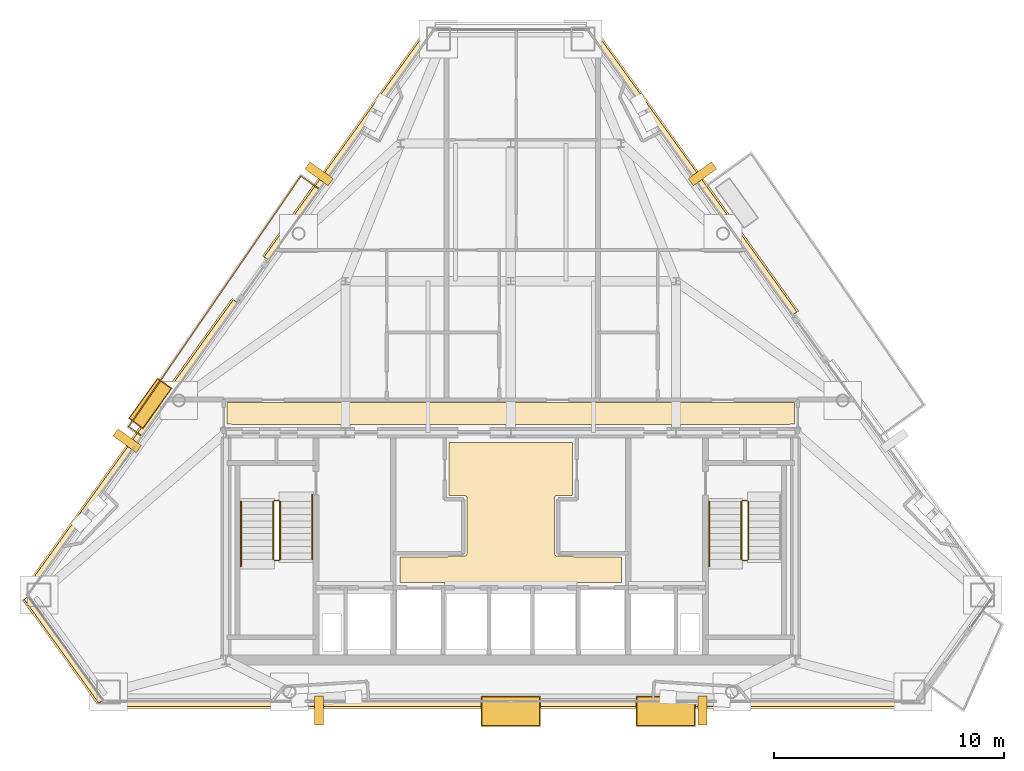
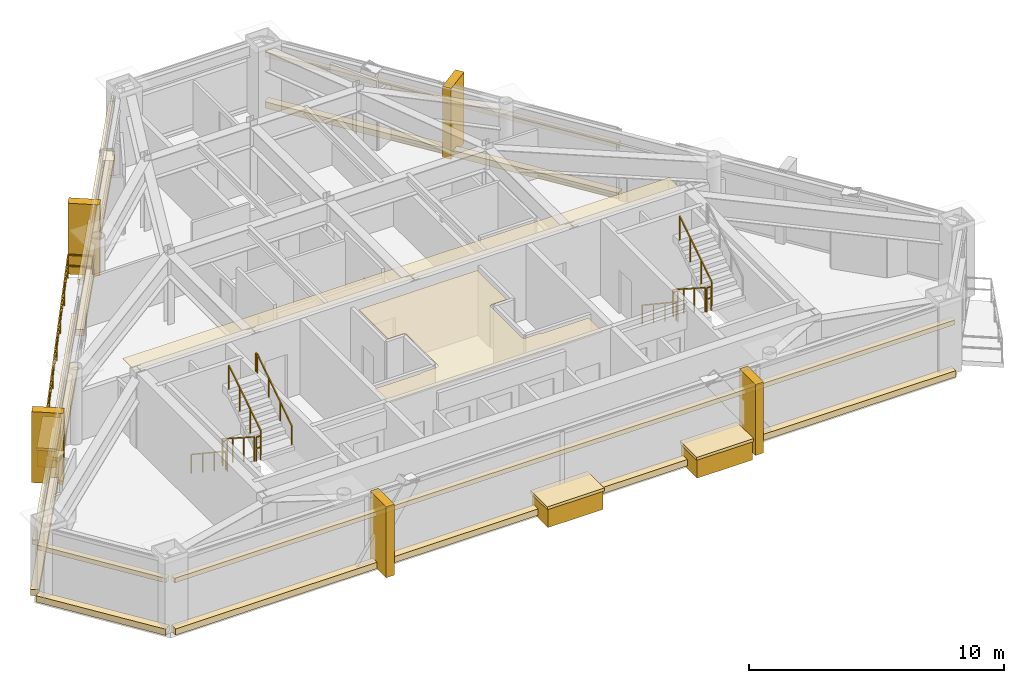
# One storey, part 10 of 11: 23 coverings, 12 railings.
"""IFC4 building model written with IfcOpenShell, lengths in metres."""

from ifc_helpers import new_model, si_unit, direction, frame, origin, origin_2d, place, context, subcontext, project, spatial, polyline, rectangle, outline, extrude, material, layer, layer_set, type_object, element, save


model = new_model("IFC4")

# Units and contexts
model_context = context("Model", 3, precision=1e-05, world=origin(), true_north=direction((0.0, 1.0)))
body_context = subcontext(model_context, "Body", "Model", "MODEL_VIEW")
ifc_project = project(units=[si_unit("LENGTHUNIT", "METRE"), si_unit("AREAUNIT", "SQUARE_METRE"), si_unit("VOLUMEUNIT", "CUBIC_METRE"), si_unit("PLANEANGLEUNIT", "RADIAN"), si_unit("MASSUNIT", "GRAM", prefix="KILO")], contexts=[model_context])

# Site, building, storey
site_placement = place(None, origin())
site = spatial("IfcSite", under=ifc_project, at=site_placement, CompositionType="ELEMENT")
building_placement = place(site_placement, origin())
building = spatial("IfcBuilding", under=site, at=building_placement, Name="Talgorran Terracotta Tower", CompositionType="ELEMENT")
storey_placement = place(building_placement, frame((0.0, 0.0, 214.5)))
storey = spatial("IfcBuildingStorey", under=building, at=storey_placement, Name="L56", CompositionType="ELEMENT", Elevation=214.5)

# Coverings
ifc_material_1 = material(Name="Kiln-Fired Terracotta Ochre Ceramic", Category="masonry")
ifc_layer_1 = layer(ifc_material_1, 0.179931640625, Name="COV_BAGUETTE_TERRACOTTA_SCREEN")
ifc_layer_set_1 = layer_set([ifc_layer_1], Name="Kiln-Fired Terracotta Ochre Ceramic")
covering_type_1 = type_object("IfcCoveringType", Name="COV_BAGUETTE_TERRACOTTA_SCREEN", PredefinedType="CLADDING", material=ifc_layer_set_1)
covering_1_placement = place(storey_placement, frame((-19.459716796875, -13.6416015625, 2.41015625), z_axis=(0.0, 0.0, 1.0), x_axis=(0.583555384799, -0.812073342053, 0.0)))
element("IfcCovering", 1, at=covering_1_placement, inside=storey, type_object=covering_type_1, Name="L56 Terracotta Baguette Solar Screen Assembly F0", PredefinedType="CLADDING", context=body_context, shape_type="SweptSolid", body=[
    extrude(rectangle(XDim=5.557861328125, YDim=0.260009765625, at=origin_2d()), origin(), (0.0, 0.0, 1.0), 0.219970703125),
])
covering_2_placement = place(storey_placement, frame((0.0, -15.99658203125, 2.41015625), z_axis=(0.0, 0.0, 1.0), x_axis=(1.0, 0.0, 0.0)))
element("IfcCovering", 2, at=covering_2_placement, inside=storey, type_object=covering_type_1, Name="L56 Terracotta Baguette Solar Screen Assembly F1", PredefinedType="CLADDING", context=body_context, shape_type="SweptSolid", body=[
    extrude(rectangle(XDim=35.291748046875, YDim=0.260009765625, at=origin_2d()), origin(), (0.0, 0.0, 1.0), 0.219970703125),
])
covering_3_placement = place(storey_placement, frame((7.926513671875, 7.15185546875, 2.41015625), z_axis=(0.0, 0.0, 1.0), x_axis=(-0.583555384799, 0.812073342053, 0.0)))
element("IfcCovering", 3, at=covering_3_placement, inside=storey, type_object=covering_type_1, Name="L56 Terracotta Baguette Solar Screen Assembly F41", PredefinedType="CLADDING", context=body_context, shape_type="SweptSolid", body=[
    extrude(rectangle(XDim=15.187744140625, YDim=0.260009765625, at=origin_2d()), origin(), (0.0, 0.0, 1.0), 0.219970703125),
])
covering_4_placement = place(storey_placement, frame((-7.0654296875, 8.350341796875, 2.41015625), z_axis=(0.0, 0.0, 1.0), x_axis=(-0.583555384799, -0.812073342053, 0.0)))
element("IfcCovering", 4, at=covering_4_placement, inside=storey, type_object=covering_type_1, Name="L56 Terracotta Baguette Solar Screen Assembly F60", PredefinedType="CLADDING", context=body_context, shape_type="SweptSolid", body=[
    extrude(rectangle(XDim=12.236083984375, YDim=0.260009765625, at=origin_2d()), origin(), (0.0, 0.0, 1.0), 0.219970703125),
])
covering_5_placement = place(storey_placement, frame((-16.517822265625, -4.8037109375, 2.41015625), z_axis=(0.0, 0.0, 1.0), x_axis=(-0.583555384799, -0.812073342053, 0.0)))
element("IfcCovering", 5, at=covering_5_placement, inside=storey, type_object=covering_type_1, Name="L56 Terracotta Baguette Solar Screen Assembly F61", PredefinedType="CLADDING", context=body_context, shape_type="SweptSolid", body=[
    extrude(rectangle(XDim=15.560302734375, YDim=0.260009765625, at=origin_2d()), origin(), (0.0, 0.0, 1.0), 0.219970703125),
])
ifc_material_2 = material(Name="Mineral Fibre Acoustic Tile")
ifc_layer_2 = layer(ifc_material_2, 0.02490234375, Name="COV_CEIL_ACOUSTIC")
ifc_layer_set_2 = layer_set([ifc_layer_2], Name="Mineral Fibre Acoustic Tile")
covering_type_2 = type_object("IfcCoveringType", Name="COV_CEIL_ACOUSTIC", PredefinedType="CEILING", material=ifc_layer_set_2)
covering_6_placement = place(storey_placement, frame((0.0, 0.0, 3.2548828125)))
element("IfcCovering", 6, at=covering_6_placement, inside=storey, type_object=covering_type_2, Name="CEIL-L56-2", PredefinedType="CEILING", context=body_context, shape_type="SweptSolid", body=[
    extrude(outline(polyline([(-12.364990234375, -2.885009765625), (12.364990234375, -2.885009765625), (12.364990234375, -3.830078125), (12.169921875, -3.830078125), (12.158203125, -3.83056640625), (12.146484375, -3.832275390625), (12.13525390625, -3.835205078125), (12.1240234375, -3.839111328125), (12.11328125, -3.84423828125), (12.112060546875, -3.844970703125), (7.432861328125, -3.844970703125), (6.968017578125, -3.843017578125), (6.967529296875, -3.843017578125), (0.232666015625, -3.844970703125), (-0.23193359375, -3.843017578125), (-0.232421875, -3.843017578125), (-6.96728515625, -3.844970703125), (-7.431884765625, -3.843017578125), (-7.4326171875, -3.843017578125), (-12.112060546875, -3.844970703125), (-12.11328125, -3.84423828125), (-12.1240234375, -3.839111328125), (-12.13525390625, -3.835205078125), (-12.146484375, -3.832275390625), (-12.158203125, -3.83056640625), (-12.169921875, -3.830078125), (-12.364990234375, -3.830078125), (-12.364990234375, -2.885009765625)])), origin(), (0.0, 0.0, 1.0), 0.02001953125),
])
ifc_material_3 = material(Name="Flush Moisture-Resistant Plaster")
ifc_layer_3 = layer(ifc_material_3, 0.01806640625, Name="COV_CEIL_PLASTER")
ifc_layer_set_3 = layer_set([ifc_layer_3], Name="Flush Moisture-Resistant Plaster")
covering_type_3 = type_object("IfcCoveringType", Name="COV_CEIL_PLASTER", PredefinedType="CEILING", material=ifc_layer_set_3)
covering_7_placement = place(storey_placement, frame((0.0, 0.0, 3.2548828125)))
element("IfcCovering", 7, at=covering_7_placement, inside=storey, type_object=covering_type_3, Name="CEIL-L56-1", PredefinedType="CEILING", context=body_context, shape_type="SweptSolid", body=[
    extrude(outline(polyline([(-2.70263671875, -9.570068359375), (-2.02001953125, -9.570068359375), (-2.00830078125, -9.5693359375), (-1.99658203125, -9.567626953125), (-1.985107421875, -9.564697265625), (-1.97412109375, -9.560791015625), (-1.96337890625, -9.555908203125), (-1.953369140625, -9.5498046875), (-1.94384765625, -9.542724609375), (-1.93505859375, -9.534912109375), (-1.92724609375, -9.526123046875), (-1.920166015625, -9.5166015625), (-1.914306640625, -9.506591796875), (-1.9091796875, -9.495849609375), (-1.9052734375, -9.48486328125), (-1.90234375, -9.473388671875), (-1.900634765625, -9.4619140625), (-1.89990234375, -9.449951171875), (-1.89990234375, -7.050048828125), (-1.900634765625, -7.0380859375), (-1.90234375, -7.026611328125), (-1.9052734375, -7.01513671875), (-1.9091796875, -7.004150390625), (-1.914306640625, -6.993408203125), (-1.920166015625, -6.9833984375), (-1.92724609375, -6.973876953125), (-1.93505859375, -6.965087890625), (-1.94384765625, -6.957275390625), (-1.953369140625, -6.9501953125), (-1.96337890625, -6.944091796875), (-1.97412109375, -6.939208984375), (-1.985107421875, -6.935302734375), (-1.99658203125, -6.932373046875), (-2.00830078125, -6.9306640625), (-2.02001953125, -6.929931640625), (-2.679931640625, -6.929931640625), (-2.679931640625, -4.6201171875), (2.679931640625, -4.6201171875), (2.679931640625, -6.929931640625), (2.02001953125, -6.929931640625), (2.00830078125, -6.9306640625), (1.99658203125, -6.932373046875), (1.985107421875, -6.935302734375), (1.97412109375, -6.939208984375), (1.96337890625, -6.944091796875), (1.953369140625, -6.9501953125), (1.94384765625, -6.957275390625), (1.93505859375, -6.965087890625), (1.92724609375, -6.973876953125), (1.920166015625, -6.9833984375), (1.914306640625, -6.993408203125), (1.9091796875, -7.004150390625), (1.9052734375, -7.01513671875), (1.90234375, -7.026611328125), (1.900634765625, -7.0380859375), (1.89990234375, -7.050048828125), (1.89990234375, -9.449951171875), (1.900634765625, -9.4619140625), (1.90234375, -9.473388671875), (1.9052734375, -9.48486328125), (1.9091796875, -9.495849609375), (1.914306640625, -9.506591796875), (1.920166015625, -9.5166015625), (1.92724609375, -9.526123046875), (1.93505859375, -9.534912109375), (1.94384765625, -9.542724609375), (1.953369140625, -9.5498046875), (1.96337890625, -9.555908203125), (1.97412109375, -9.560791015625), (1.985107421875, -9.564697265625), (1.99658203125, -9.567626953125), (2.00830078125, -9.5693359375), (2.02001953125, -9.570068359375), (2.70263671875, -9.570068359375), (2.707275390625, -9.576171875), (2.715087890625, -9.5849609375), (2.723876953125, -9.5927734375), (2.7333984375, -9.599853515625), (2.743408203125, -9.605712890625), (2.754150390625, -9.61083984375), (2.76513671875, -9.61474609375), (2.776611328125, -9.61767578125), (2.7880859375, -9.619384765625), (2.800048828125, -9.6201171875), (4.830078125, -9.6201171875), (4.830078125, -10.72998046875), (-4.830078125, -10.72998046875), (-4.830078125, -9.6201171875), (-2.800048828125, -9.6201171875), (-2.7880859375, -9.619384765625), (-2.776611328125, -9.61767578125), (-2.76513671875, -9.61474609375), (-2.754150390625, -9.61083984375), (-2.743408203125, -9.605712890625), (-2.7333984375, -9.599853515625), (-2.723876953125, -9.5927734375), (-2.715087890625, -9.5849609375), (-2.707275390625, -9.576171875), (-2.70263671875, -9.570068359375)])), origin(), (0.0, 0.0, 1.0), 0.02001953125),
])
ifc_material_4 = material(Name="Honed Limestone and Terracotta Planter", Category="masonry")
ifc_layer_4 = layer(ifc_material_4, 0.1201171875, Name="COV_PLANTER_BOX")
ifc_layer_set_4 = layer_set([ifc_layer_4], Name="Honed Limestone and Terracotta Planter")
covering_type_4 = type_object("IfcCoveringType", Name="COV_PLANTER_BOX", PredefinedType="CLADDING", material=ifc_layer_set_4)
for number, where, z_axis, x_axis, name in (
    (8, (0.0, -16.336669921875, -0.179931640625), (0.0, 0.0, 1.0), (1.0, 0.0, 0.0), "L56 Staggered South Facade Planter Box 1"),
    (9, (6.75537109375, -16.336669921875, -0.179931640625), (0.0, 0.0, 1.0), (1.0, 0.0, 0.0), "L56 Staggered South Facade Planter Box 2"),
):
    element("IfcCovering", number, at=place(storey_placement, frame(where, z_axis=z_axis, x_axis=x_axis)), inside=storey, type_object=covering_type_4, Name=name, PredefinedType="CLADDING", context=body_context, shape_type="SweptSolid", body=[
        extrude(rectangle(XDim=2.5, YDim=1.25, at=origin_2d()), origin(), (0.0, 0.0, 1.0), 0.919921875),
    ])
covering_8_placement = place(storey_placement, frame((-15.701904296875, -2.923095703125, -0.02001953125), z_axis=(0.0, 0.0, 1.0), x_axis=(-0.583555384799, -0.812073342053, 0.0)))
element("IfcCovering", 10, at=covering_8_placement, inside=storey, type_object=covering_type_4, Name="L56 Staggered Balcony Planter Box BAL-NW", PredefinedType="CLADDING", context=body_context, shape_type="SweptSolid", body=[
    extrude(rectangle(XDim=2.10009765625, YDim=0.719970703125, at=origin_2d()), origin(), (0.0, 0.0, 1.0), 0.860107421875),
])
ifc_material_5 = material(Name="Kiln-Fired Terracotta Planter Rim", Category="masonry")
ifc_layer_5 = layer(ifc_material_5, 0.10009765625, Name="COV_PLANTER_RIM")
ifc_layer_set_5 = layer_set([ifc_layer_5], Name="Kiln-Fired Terracotta Planter Rim")
covering_type_5 = type_object("IfcCoveringType", Name="COV_PLANTER_RIM", PredefinedType="CLADDING", material=ifc_layer_set_5)
for number, where, z_axis, x_axis, name in (
    (11, (0.0, -16.336669921875, 0.7099609375), (0.0, 0.0, 1.0), (1.0, 0.0, 0.0), "L56 South Planter Terracotta Rim 1"),
    (12, (6.75537109375, -16.336669921875, 0.7099609375), (0.0, 0.0, 1.0), (1.0, 0.0, 0.0), "L56 South Planter Terracotta Rim 2"),
):
    element("IfcCovering", number, at=place(storey_placement, frame(where, z_axis=z_axis, x_axis=x_axis)), inside=storey, type_object=covering_type_5, Name=name, PredefinedType="CLADDING", context=body_context, shape_type="SweptSolid", body=[
        extrude(rectangle(XDim=2.580078125, YDim=1.320068359375, at=origin_2d()), origin(), (0.0, 0.0, 1.0), 0.139892578125),
    ])
covering_9_placement = place(storey_placement, frame((-15.701904296875, -2.923095703125, 0.800048828125), z_axis=(0.0, 0.0, 1.0), x_axis=(-0.583555384799, -0.812073342053, 0.0)))
element("IfcCovering", 13, at=covering_9_placement, inside=storey, type_object=covering_type_5, Name="L56 Balcony Planter Terracotta Rim BAL-NW", PredefinedType="CLADDING", context=body_context, shape_type="SweptSolid", body=[
    extrude(rectangle(XDim=2.179931640625, YDim=0.780029296875, at=origin_2d()), origin(), (0.0, 0.0, 1.0), 0.1201171875),
])
ifc_material_6 = material(Name="Honed Limestone Cladding", Category="masonry")
ifc_layer_6 = layer(ifc_material_6, 0.094970703125, Name="COV_PORTAL_LIME")
ifc_layer_set_6 = layer_set([ifc_layer_6], Name="Honed Limestone Cladding")
covering_type_6 = type_object("IfcCoveringType", Name="COV_PORTAL_LIME", PredefinedType="CLADDING", material=ifc_layer_set_6)
covering_10_placement = place(storey_placement, frame((-19.4921875, -13.664794921875, -0.0400390625), z_axis=(0.0, 0.0, 1.0), x_axis=(0.583555384799, -0.812073342053, 0.0)))
element("IfcCovering", 14, at=covering_10_placement, inside=storey, type_object=covering_type_6, Name="L56 Striped Postmodern Portal Cladding Band F0", PredefinedType="CLADDING", context=body_context, shape_type="SweptSolid", body=[
    extrude(rectangle(XDim=5.577880859375, YDim=0.340087890625, at=origin_2d()), origin(), (0.0, 0.0, 1.0), 0.300048828125),
])
covering_11_placement = place(storey_placement, frame((0.0, -16.03662109375, -0.0400390625), z_axis=(0.0, 0.0, 1.0), x_axis=(1.0, 0.0, 0.0)))
element("IfcCovering", 15, at=covering_11_placement, inside=storey, type_object=covering_type_6, Name="L56 Striped Postmodern Portal Cladding Band F1", PredefinedType="CLADDING", context=body_context, shape_type="SweptSolid", body=[
    extrude(rectangle(XDim=35.311767578125, YDim=0.340087890625, at=origin_2d()), origin(), (0.0, 0.0, 1.0), 0.300048828125),
])
covering_12_placement = place(storey_placement, frame((7.958984375, 7.175048828125, -0.0400390625), z_axis=(0.0, 0.0, 1.0), x_axis=(-0.583555384799, 0.812073342053, 0.0)))
element("IfcCovering", 16, at=covering_12_placement, inside=storey, type_object=covering_type_6, Name="L56 Striped Postmodern Portal Cladding Band F41", PredefinedType="CLADDING", context=body_context, shape_type="SweptSolid", body=[
    extrude(rectangle(XDim=15.207763671875, YDim=0.340087890625, at=origin_2d()), origin(), (0.0, 0.0, 1.0), 0.300048828125),
])
covering_13_placement = place(storey_placement, frame((-7.097900390625, 8.373779296875, -0.0400390625), z_axis=(0.0, 0.0, 1.0), x_axis=(-0.583555384799, -0.812073342053, 0.0)))
element("IfcCovering", 17, at=covering_13_placement, inside=storey, type_object=covering_type_6, Name="L56 Striped Postmodern Portal Cladding Band F60", PredefinedType="CLADDING", context=body_context, shape_type="SweptSolid", body=[
    extrude(rectangle(XDim=12.256103515625, YDim=0.340087890625, at=origin_2d()), origin(), (0.0, 0.0, 1.0), 0.300048828125),
])
covering_14_placement = place(storey_placement, frame((-16.55029296875, -4.780517578125, -0.0400390625), z_axis=(0.0, 0.0, 1.0), x_axis=(-0.583555384799, -0.812073342053, 0.0)))
element("IfcCovering", 18, at=covering_14_placement, inside=storey, type_object=covering_type_6, Name="L56 Striped Postmodern Portal Cladding Band F61", PredefinedType="CLADDING", context=body_context, shape_type="SweptSolid", body=[
    extrude(rectangle(XDim=15.580322265625, YDim=0.340087890625, at=origin_2d()), origin(), (0.0, 0.0, 1.0), 0.300048828125),
])
for number, where, z_axis, x_axis, name in (
    (19, (8.35546875, -16.296630859375, -0.050048828125), (0.0, 0.0, 1.0), (1.0, 0.0, 0.0), "L56 White Striped Portal Fin F1-2"),
    (20, (8.349609375, 7.0771484375, -0.050048828125), (0.0, 0.0, 1.0), (-0.583555384799, 0.812073342053, 0.0), "L56 White Striped Portal Fin F3-2"),
    (21, (-16.705078125, -4.55029296875, -0.050048828125), (0.0, 0.0, 1.0), (-0.583555384799, -0.812073342053, 0.0), "L56 White Striped Portal Fin F5-2"),
):
    element("IfcCovering", number, at=place(storey_placement, frame(where, z_axis=z_axis, x_axis=x_axis)), inside=storey, type_object=covering_type_6, Name=name, PredefinedType="CLADDING", context=body_context, shape_type="SweptSolid", body=[
        extrude(rectangle(XDim=0.3798828125, YDim=1.25, at=origin_2d()), origin(), (0.0, 0.0, 1.0), 3.39501953125),
    ])
ifc_material_7 = material(Name="Kiln-Fired Terracotta Cladding", Category="masonry")
ifc_layer_7 = layer(ifc_material_7, 0.090087890625, Name="COV_PORTAL_TERRA")
ifc_layer_set_7 = layer_set([ifc_layer_7], Name="Kiln-Fired Terracotta Cladding")
covering_type_7 = type_object("IfcCoveringType", Name="COV_PORTAL_TERRA", PredefinedType="CLADDING", material=ifc_layer_set_7)
for number, where, z_axis, x_axis, name in (
    (22, (-8.35546875, -16.296630859375, -0.050048828125), (0.0, 0.0, 1.0), (1.0, 0.0, 0.0), "L56 Terracotta Striped Portal Fin F1-1"),
    (23, (-8.349609375, 7.0771484375, -0.050048828125), (0.0, 0.0, 1.0), (-0.583555384799, -0.812073342053, 0.0), "L56 Terracotta Striped Portal Fin F5-1"),
):
    element("IfcCovering", number, at=place(storey_placement, frame(where, z_axis=z_axis, x_axis=x_axis)), inside=storey, type_object=covering_type_7, Name=name, PredefinedType="CLADDING", context=body_context, shape_type="SweptSolid", body=[
        extrude(rectangle(XDim=0.3798828125, YDim=1.25, at=origin_2d()), origin(), (0.0, 0.0, 1.0), 3.39501953125),
    ])

# Railings
ifc_material_8 = material(Name="Laminated Glass and Stainless Steel 316", Category="steel")
railing_type_1 = type_object("IfcRailingType", Name="RL_BALCONY_1150", PredefinedType="BALUSTRADE", material=ifc_material_8)
railing_1_placement = place(storey_placement, frame((-8.3544921875, 6.419189453125, 0.0)))
element("IfcRailing", 24, at=railing_1_placement, inside=storey, type_object=railing_type_1, Name="RL-L56-BAL-BAL-NW", PredefinedType="BALUSTRADE", context=body_context, shape_type="SweptSolid", body=[
    extrude(rectangle(XDim=0.048095703125, YDim=0.048095703125, at=origin_2d()), frame((0.0, 0.0, 1.1259765625), z_axis=(-0.812093826282, 0.583526877971, 0.0), x_axis=(-0.583526877971, -0.812093826282, 0.0)), (0.0, 0.0, 1.0), 0.9677734375),
    extrude(rectangle(XDim=0.048095703125, YDim=0.048095703125, at=origin_2d()), frame((0.0, 0.0, 0.597900390625), z_axis=(-0.812093826282, 0.583526877971, 0.0), x_axis=(-0.583526877971, -0.812093826282, 0.0)), (0.0, 0.0, 1.0), 0.9677734375),
    extrude(rectangle(XDim=0.048095703125, YDim=0.048095703125, at=origin_2d()), frame((-0.785888671875, 0.564697265625, 1.1259765625), z_axis=(-0.566075859239, -0.82435315344, 0.0), x_axis=(0.82435315344, -0.566075859239, 0.0)), (0.0, 0.0, 1.0), 13.2470703125),
    extrude(rectangle(XDim=0.048095703125, YDim=0.048095703125, at=origin_2d()), frame((-0.785888671875, 0.564697265625, 0.597900390625), z_axis=(-0.566075859239, -0.82435315344, 0.0), x_axis=(0.82435315344, -0.566075859239, 0.0)), (0.0, 0.0, 1.0), 13.2470703125),
    extrude(rectangle(XDim=0.048095703125, YDim=0.048095703125, at=origin_2d()), frame((-8.28466796875, -10.35546875, 1.1259765625), z_axis=(0.812068163306, -0.583562591454, 0.0), x_axis=(0.583562591454, 0.812068163306, 0.0)), (0.0, 0.0, 1.0), 0.684814453125),
    extrude(rectangle(XDim=0.048095703125, YDim=0.048095703125, at=origin_2d()), frame((-8.28466796875, -10.35546875, 0.597900390625), z_axis=(0.812068163306, -0.583562591454, 0.0), x_axis=(0.583562591454, 0.812068163306, 0.0)), (0.0, 0.0, 1.0), 0.684814453125),
    extrude(rectangle(XDim=0.0419921875, YDim=0.0419921875, at=origin_2d()), origin(), (0.0, 0.0, 1.0), 1.101806640625),
    extrude(rectangle(XDim=0.0419921875, YDim=0.0419921875, at=origin_2d()), frame((-0.785888671875, 0.564697265625, 0.0)), (0.0, 0.0, 1.0), 1.101806640625),
    extrude(rectangle(XDim=0.0419921875, YDim=0.0419921875, at=origin_2d()), frame((-1.857177734375, -0.995361328125, 0.0)), (0.0, 0.0, 1.0), 1.101806640625),
    extrude(rectangle(XDim=0.0419921875, YDim=0.0419921875, at=origin_2d()), frame((-2.928466796875, -2.555419921875, 0.0)), (0.0, 0.0, 1.0), 1.101806640625),
    extrude(rectangle(XDim=0.0419921875, YDim=0.0419921875, at=origin_2d()), frame((-3.999755859375, -4.115478515625, 0.0)), (0.0, 0.0, 1.0), 1.101806640625),
    extrude(rectangle(XDim=0.0419921875, YDim=0.0419921875, at=origin_2d()), frame((-5.07080078125, -5.67529296875, 0.0)), (0.0, 0.0, 1.0), 1.101806640625),
    extrude(rectangle(XDim=0.0419921875, YDim=0.0419921875, at=origin_2d()), frame((-6.14208984375, -7.2353515625, 0.0)), (0.0, 0.0, 1.0), 1.101806640625),
    extrude(rectangle(XDim=0.0419921875, YDim=0.0419921875, at=origin_2d()), frame((-7.21337890625, -8.79541015625, 0.0)), (0.0, 0.0, 1.0), 1.101806640625),
    extrude(rectangle(XDim=0.0419921875, YDim=0.0419921875, at=origin_2d()), frame((-8.28466796875, -10.35546875, 0.0)), (0.0, 0.0, 1.0), 1.101806640625),
    extrude(rectangle(XDim=0.0419921875, YDim=0.0419921875, at=origin_2d()), frame((-7.728515625, -10.755126953125, 0.0)), (0.0, 0.0, 1.0), 1.101806640625),
])
ifc_material_9 = material(Name="Steel S355 (300PLUS)", Category="steel")
railing_type_2 = type_object("IfcRailingType", Name="RL_HANDRAIL_920", PredefinedType="HANDRAIL", material=ifc_material_9)
railing_2_placement = place(storey_placement, frame((-11.75, -7.199951171875, 0.179931640625)))
element("IfcRailing", 25, at=railing_2_placement, inside=storey, type_object=railing_type_2, Name="L56 ST-01 stair handrail 1", PredefinedType="HANDRAIL", context=body_context, shape_type="SweptSolid", body=[
    extrude(rectangle(XDim=0.048095703125, YDim=0.048095703125, at=origin_2d()), frame((0.0, 0.0, 0.89599609375), z_axis=(0.0, -0.832038719335, 0.554717558338), x_axis=(1.0, 0.0, 0.0)), (0.0, 0.0, 1.0), 3.244873046875),
    extrude(rectangle(XDim=0.048095703125, YDim=0.048095703125, at=origin_2d()), frame((0.0, -2.699951171875, 2.69580078125), z_axis=(0.0, -1.0, 0.0), x_axis=(1.0, 0.0, 0.0)), (0.0, 0.0, 1.0), 0.1201171875),
    extrude(rectangle(XDim=0.0419921875, YDim=0.0419921875, at=origin_2d()), origin(), (0.0, 0.0, 1.0), 0.871826171875),
    extrude(rectangle(XDim=0.0419921875, YDim=0.0419921875, at=origin_2d()), frame((0.0, -0.89990234375, 0.60009765625)), (0.0, 0.0, 1.0), 0.871826171875),
    extrude(rectangle(XDim=0.0419921875, YDim=0.0419921875, at=origin_2d()), frame((0.0, -1.800048828125, 1.199951171875)), (0.0, 0.0, 1.0), 0.871826171875),
    extrude(rectangle(XDim=0.0419921875, YDim=0.0419921875, at=origin_2d()), frame((0.0, -2.699951171875, 1.800048828125)), (0.0, 0.0, 1.0), 0.871826171875),
    extrude(rectangle(XDim=0.0419921875, YDim=0.0419921875, at=origin_2d()), frame((0.0, -2.820068359375, 1.800048828125)), (0.0, 0.0, 1.0), 0.871826171875),
])
railing_3_placement = place(storey_placement, frame((-8.64990234375, -9.719970703125, 1.97998046875)))
element("IfcRailing", 26, at=railing_3_placement, inside=storey, type_object=railing_type_2, Name="L56 ST-01 stair handrail 2", PredefinedType="HANDRAIL", context=body_context, shape_type="SweptSolid", body=[
    extrude(rectangle(XDim=0.048095703125, YDim=0.048095703125, at=origin_2d()), frame((0.0, 0.0, 0.89599609375), z_axis=(0.0, 0.832038719335, 0.554717558338), x_axis=(-1.0, 0.0, 0.0)), (0.0, 0.0, 1.0), 3.244873046875),
    extrude(rectangle(XDim=0.048095703125, YDim=0.048095703125, at=origin_2d()), frame((0.0, 2.699951171875, 2.69580078125), z_axis=(0.0, 1.0, 0.0), x_axis=(-1.0, 0.0, 0.0)), (0.0, 0.0, 1.0), 0.1201171875),
    extrude(rectangle(XDim=0.0419921875, YDim=0.0419921875, at=origin_2d()), origin(), (0.0, 0.0, 1.0), 0.871826171875),
    extrude(rectangle(XDim=0.0419921875, YDim=0.0419921875, at=origin_2d()), frame((0.0, 0.89990234375, 0.60009765625)), (0.0, 0.0, 1.0), 0.871826171875),
    extrude(rectangle(XDim=0.0419921875, YDim=0.0419921875, at=origin_2d()), frame((0.0, 1.800048828125, 1.199951171875)), (0.0, 0.0, 1.0), 0.871826171875),
    extrude(rectangle(XDim=0.0419921875, YDim=0.0419921875, at=origin_2d()), frame((0.0, 2.699951171875, 1.800048828125)), (0.0, 0.0, 1.0), 0.871826171875),
    extrude(rectangle(XDim=0.0419921875, YDim=0.0419921875, at=origin_2d()), frame((0.0, 2.820068359375, 1.800048828125)), (0.0, 0.0, 1.0), 0.871826171875),
])
railing_4_placement = place(storey_placement, frame((8.64990234375, -7.199951171875, 0.179931640625)))
element("IfcRailing", 27, at=railing_4_placement, inside=storey, type_object=railing_type_2, Name="L56 ST-02 stair handrail 1", PredefinedType="HANDRAIL", context=body_context, shape_type="SweptSolid", body=[
    extrude(rectangle(XDim=0.048095703125, YDim=0.048095703125, at=origin_2d()), frame((0.0, 0.0, 0.89599609375), z_axis=(0.0, -0.832038719335, 0.554717558338), x_axis=(1.0, 0.0, 0.0)), (0.0, 0.0, 1.0), 3.244873046875),
    extrude(rectangle(XDim=0.048095703125, YDim=0.048095703125, at=origin_2d()), frame((0.0, -2.699951171875, 2.69580078125), z_axis=(0.0, -1.0, 0.0), x_axis=(1.0, 0.0, 0.0)), (0.0, 0.0, 1.0), 0.1201171875),
    extrude(rectangle(XDim=0.0419921875, YDim=0.0419921875, at=origin_2d()), origin(), (0.0, 0.0, 1.0), 0.871826171875),
    extrude(rectangle(XDim=0.0419921875, YDim=0.0419921875, at=origin_2d()), frame((0.0, -0.89990234375, 0.60009765625)), (0.0, 0.0, 1.0), 0.871826171875),
    extrude(rectangle(XDim=0.0419921875, YDim=0.0419921875, at=origin_2d()), frame((0.0, -1.800048828125, 1.199951171875)), (0.0, 0.0, 1.0), 0.871826171875),
    extrude(rectangle(XDim=0.0419921875, YDim=0.0419921875, at=origin_2d()), frame((0.0, -2.699951171875, 1.800048828125)), (0.0, 0.0, 1.0), 0.871826171875),
    extrude(rectangle(XDim=0.0419921875, YDim=0.0419921875, at=origin_2d()), frame((0.0, -2.820068359375, 1.800048828125)), (0.0, 0.0, 1.0), 0.871826171875),
])
railing_type_3 = type_object("IfcRailingType", Name="RL_STAIR_GUARD", PredefinedType="GUARDRAIL", material=ifc_material_9)
railing_5_placement = place(storey_placement, frame((-10.35009765625, -7.199951171875, 0.179931640625)))
element("IfcRailing", 28, at=railing_5_placement, inside=storey, type_object=railing_type_3, Name="L56 ST-01 stair guard 1", PredefinedType="GUARDRAIL", context=body_context, shape_type="SweptSolid", body=[
    extrude(rectangle(XDim=0.048095703125, YDim=0.048095703125, at=origin_2d()), frame((0.0, 0.0, 1.15576171875), z_axis=(0.0, -0.841162588446, 0.540782303519), x_axis=(1.0, 0.0, 0.0)), (0.0, 0.0, 1.0), 2.995849609375),
    extrude(rectangle(XDim=0.0419921875, YDim=0.0419921875, at=origin_2d()), origin(), (0.0, 0.0, 1.0), 1.1318359375),
    extrude(rectangle(XDim=0.0419921875, YDim=0.0419921875, at=origin_2d()), frame((0.0, -0.840087890625, 0.5400390625)), (0.0, 0.0, 1.0), 1.1318359375),
    extrude(rectangle(XDim=0.0419921875, YDim=0.0419921875, at=origin_2d()), frame((0.0, -1.679931640625, 1.080078125)), (0.0, 0.0, 1.0), 1.1318359375),
    extrude(rectangle(XDim=0.0419921875, YDim=0.0419921875, at=origin_2d()), frame((0.0, -2.52001953125, 1.6201171875)), (0.0, 0.0, 1.0), 1.1318359375),
])
railing_6_placement = place(storey_placement, frame((-10.300048828125, -9.77001953125, 1.800048828125)))
element("IfcRailing", 29, at=railing_6_placement, inside=storey, type_object=railing_type_3, Name="L56 ST-01 stair guard 2", PredefinedType="GUARDRAIL", context=body_context, shape_type="SweptSolid", body=[
    extrude(rectangle(XDim=0.048095703125, YDim=0.048095703125, at=origin_2d()), frame((0.0, 0.0, 1.15576171875), z_axis=(1.0, 0.0, 0.0), x_axis=(0.0, 1.0, 0.0)), (0.0, 0.0, 1.0), 0.199951171875),
    extrude(rectangle(XDim=0.048095703125, YDim=0.048095703125, at=origin_2d()), frame((0.0, 0.0, 0.613525390625), z_axis=(1.0, 0.0, 0.0), x_axis=(0.0, 1.0, 0.0)), (0.0, 0.0, 1.0), 0.199951171875),
    extrude(rectangle(XDim=0.0419921875, YDim=0.0419921875, at=origin_2d()), origin(), (0.0, 0.0, 1.0), 1.1318359375),
    extrude(rectangle(XDim=0.0419921875, YDim=0.0419921875, at=origin_2d()), frame((0.199951171875, 0.0, 0.0)), (0.0, 0.0, 1.0), 1.1318359375),
])
railing_7_placement = place(storey_placement, frame((-10.050048828125, -9.719970703125, 1.97998046875)))
element("IfcRailing", 30, at=railing_7_placement, inside=storey, type_object=railing_type_3, Name="L56 ST-01 stair guard 3", PredefinedType="GUARDRAIL", context=body_context, shape_type="SweptSolid", body=[
    extrude(rectangle(XDim=0.048095703125, YDim=0.048095703125, at=origin_2d()), frame((0.0, 0.0, 1.15576171875), z_axis=(0.0, 0.841162588446, 0.540782303519), x_axis=(-1.0, 0.0, 0.0)), (0.0, 0.0, 1.0), 2.995849609375),
    extrude(rectangle(XDim=0.0419921875, YDim=0.0419921875, at=origin_2d()), origin(), (0.0, 0.0, 1.0), 1.1318359375),
    extrude(rectangle(XDim=0.0419921875, YDim=0.0419921875, at=origin_2d()), frame((0.0, 0.840087890625, 0.5400390625)), (0.0, 0.0, 1.0), 1.1318359375),
    extrude(rectangle(XDim=0.0419921875, YDim=0.0419921875, at=origin_2d()), frame((0.0, 1.679931640625, 1.080078125)), (0.0, 0.0, 1.0), 1.1318359375),
    extrude(rectangle(XDim=0.0419921875, YDim=0.0419921875, at=origin_2d()), frame((0.0, 2.52001953125, 1.6201171875)), (0.0, 0.0, 1.0), 1.1318359375),
])
railing_8_placement = place(storey_placement, frame((-10.300048828125, -7.14990234375, 0.0)))
element("IfcRailing", 31, at=railing_8_placement, inside=storey, type_object=railing_type_3, Name="L56 ST-01 stair guard 4", PredefinedType="GUARDRAIL", context=body_context, shape_type="SweptSolid", body=[
    extrude(rectangle(XDim=0.048095703125, YDim=0.048095703125, at=origin_2d()), frame((0.0, 0.0, 1.15576171875), z_axis=(1.0, 0.0, 0.0), x_axis=(0.0, 1.0, 0.0)), (0.0, 0.0, 1.0), 0.199951171875),
    extrude(rectangle(XDim=0.048095703125, YDim=0.048095703125, at=origin_2d()), frame((0.0, 0.0, 0.613525390625), z_axis=(1.0, 0.0, 0.0), x_axis=(0.0, 1.0, 0.0)), (0.0, 0.0, 1.0), 0.199951171875),
    extrude(rectangle(XDim=0.0419921875, YDim=0.0419921875, at=origin_2d()), origin(), (0.0, 0.0, 1.0), 1.1318359375),
    extrude(rectangle(XDim=0.0419921875, YDim=0.0419921875, at=origin_2d()), frame((0.199951171875, 0.0, 0.0)), (0.0, 0.0, 1.0), 1.1318359375),
])
railing_9_placement = place(storey_placement, frame((10.050048828125, -7.199951171875, 0.179931640625)))
element("IfcRailing", 32, at=railing_9_placement, inside=storey, type_object=railing_type_3, Name="L56 ST-02 stair guard 1", PredefinedType="GUARDRAIL", context=body_context, shape_type="SweptSolid", body=[
    extrude(rectangle(XDim=0.048095703125, YDim=0.048095703125, at=origin_2d()), frame((0.0, 0.0, 1.15576171875), z_axis=(0.0, -0.841162588446, 0.540782303519), x_axis=(1.0, 0.0, 0.0)), (0.0, 0.0, 1.0), 2.995849609375),
    extrude(rectangle(XDim=0.0419921875, YDim=0.0419921875, at=origin_2d()), origin(), (0.0, 0.0, 1.0), 1.1318359375),
    extrude(rectangle(XDim=0.0419921875, YDim=0.0419921875, at=origin_2d()), frame((0.0, -0.840087890625, 0.5400390625)), (0.0, 0.0, 1.0), 1.1318359375),
    extrude(rectangle(XDim=0.0419921875, YDim=0.0419921875, at=origin_2d()), frame((0.0, -1.679931640625, 1.080078125)), (0.0, 0.0, 1.0), 1.1318359375),
    extrude(rectangle(XDim=0.0419921875, YDim=0.0419921875, at=origin_2d()), frame((0.0, -2.52001953125, 1.6201171875)), (0.0, 0.0, 1.0), 1.1318359375),
])
railing_10_placement = place(storey_placement, frame((10.10009765625, -9.77001953125, 1.800048828125)))
element("IfcRailing", 33, at=railing_10_placement, inside=storey, type_object=railing_type_3, Name="L56 ST-02 stair guard 2", PredefinedType="GUARDRAIL", context=body_context, shape_type="SweptSolid", body=[
    extrude(rectangle(XDim=0.048095703125, YDim=0.048095703125, at=origin_2d()), frame((0.0, 0.0, 1.15576171875), z_axis=(1.0, 0.0, 0.0), x_axis=(0.0, 1.0, 0.0)), (0.0, 0.0, 1.0), 0.199951171875),
    extrude(rectangle(XDim=0.048095703125, YDim=0.048095703125, at=origin_2d()), frame((0.0, 0.0, 0.613525390625), z_axis=(1.0, 0.0, 0.0), x_axis=(0.0, 1.0, 0.0)), (0.0, 0.0, 1.0), 0.199951171875),
    extrude(rectangle(XDim=0.0419921875, YDim=0.0419921875, at=origin_2d()), origin(), (0.0, 0.0, 1.0), 1.1318359375),
    extrude(rectangle(XDim=0.0419921875, YDim=0.0419921875, at=origin_2d()), frame((0.199951171875, 0.0, 0.0)), (0.0, 0.0, 1.0), 1.1318359375),
])
railing_11_placement = place(storey_placement, frame((10.35009765625, -9.719970703125, 1.97998046875)))
element("IfcRailing", 34, at=railing_11_placement, inside=storey, type_object=railing_type_3, Name="L56 ST-02 stair guard 3", PredefinedType="GUARDRAIL", context=body_context, shape_type="SweptSolid", body=[
    extrude(rectangle(XDim=0.048095703125, YDim=0.048095703125, at=origin_2d()), frame((0.0, 0.0, 1.15576171875), z_axis=(0.0, 0.841162588446, 0.540782303519), x_axis=(-1.0, 0.0, 0.0)), (0.0, 0.0, 1.0), 2.995849609375),
    extrude(rectangle(XDim=0.0419921875, YDim=0.0419921875, at=origin_2d()), origin(), (0.0, 0.0, 1.0), 1.1318359375),
    extrude(rectangle(XDim=0.0419921875, YDim=0.0419921875, at=origin_2d()), frame((0.0, 0.840087890625, 0.5400390625)), (0.0, 0.0, 1.0), 1.1318359375),
    extrude(rectangle(XDim=0.0419921875, YDim=0.0419921875, at=origin_2d()), frame((0.0, 1.679931640625, 1.080078125)), (0.0, 0.0, 1.0), 1.1318359375),
    extrude(rectangle(XDim=0.0419921875, YDim=0.0419921875, at=origin_2d()), frame((0.0, 2.52001953125, 1.6201171875)), (0.0, 0.0, 1.0), 1.1318359375),
])
railing_12_placement = place(storey_placement, frame((10.10009765625, -7.14990234375, 0.0)))
element("IfcRailing", 35, at=railing_12_placement, inside=storey, type_object=railing_type_3, Name="L56 ST-02 stair guard 4", PredefinedType="GUARDRAIL", context=body_context, shape_type="SweptSolid", body=[
    extrude(rectangle(XDim=0.048095703125, YDim=0.048095703125, at=origin_2d()), frame((0.0, 0.0, 1.15576171875), z_axis=(1.0, 0.0, 0.0), x_axis=(0.0, 1.0, 0.0)), (0.0, 0.0, 1.0), 0.199951171875),
    extrude(rectangle(XDim=0.048095703125, YDim=0.048095703125, at=origin_2d()), frame((0.0, 0.0, 0.613525390625), z_axis=(1.0, 0.0, 0.0), x_axis=(0.0, 1.0, 0.0)), (0.0, 0.0, 1.0), 0.199951171875),
    extrude(rectangle(XDim=0.0419921875, YDim=0.0419921875, at=origin_2d()), origin(), (0.0, 0.0, 1.0), 1.1318359375),
    extrude(rectangle(XDim=0.0419921875, YDim=0.0419921875, at=origin_2d()), frame((0.199951171875, 0.0, 0.0)), (0.0, 0.0, 1.0), 1.1318359375),
])

save(model, "model.ifc")
